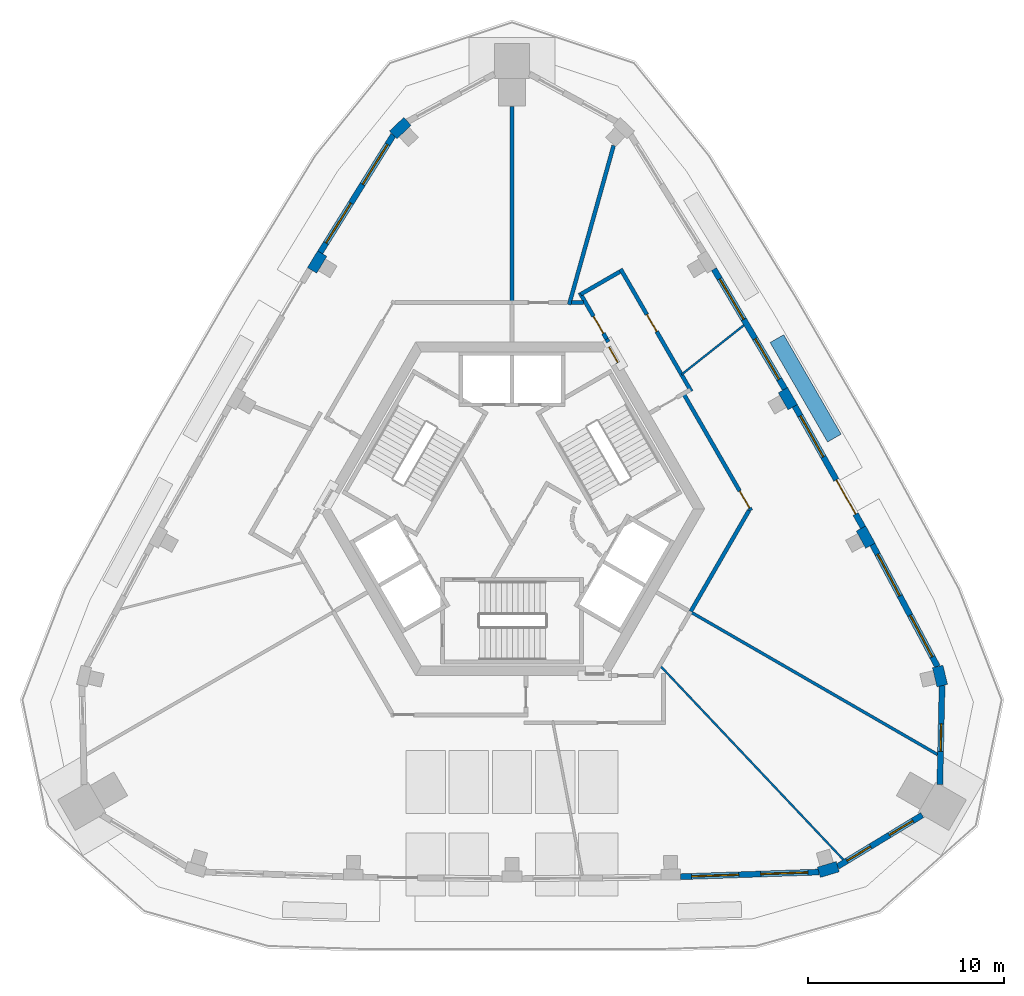
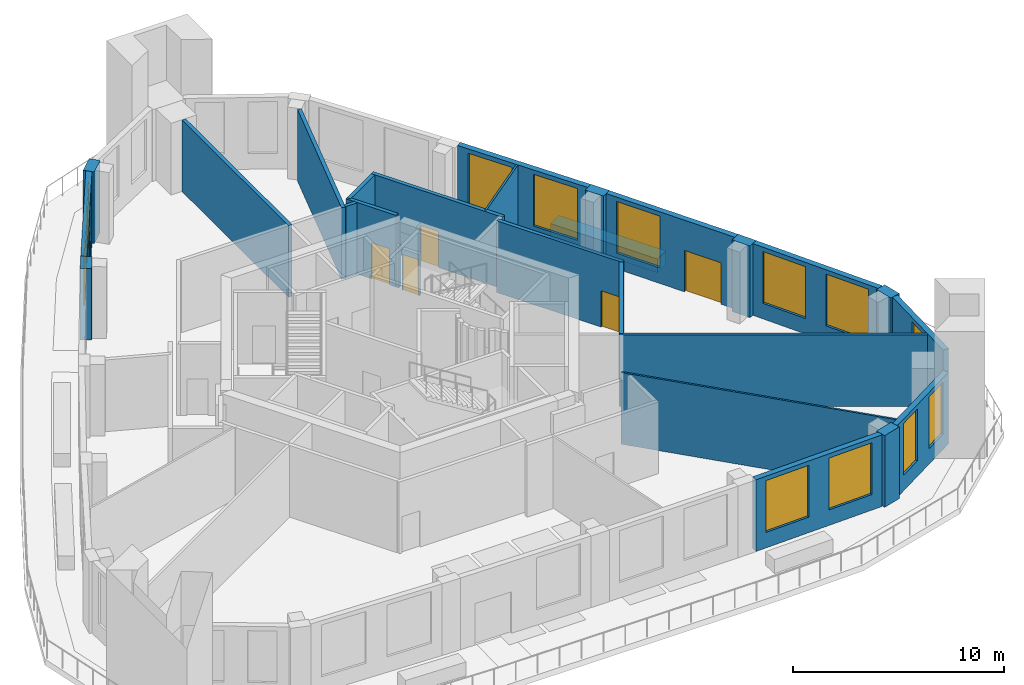
# One storey, part 5 of 9: 27 walls, 12 windows, 5 doors, 17 openings.
"""IFC4 building model written with IfcOpenShell, lengths in metres."""

from ifc_helpers import new_model, si_unit, direction, frame, frame_2d, origin, place, context, subcontext, project, spatial, rectangle, extrude, material, layer, layer_set, type_object, element, fill, save


model = new_model("IFC4")

# Units and contexts
model_context = context("Model", 3, precision=1e-05, world=origin(), true_north=direction((0.0, 1.0)))
body_context = subcontext(model_context, "Body", "Model", "MODEL_VIEW")
ifc_project = project(units=[si_unit("LENGTHUNIT", "METRE"), si_unit("AREAUNIT", "SQUARE_METRE"), si_unit("VOLUMEUNIT", "CUBIC_METRE"), si_unit("PLANEANGLEUNIT", "RADIAN"), si_unit("MASSUNIT", "GRAM", prefix="KILO")], contexts=[model_context])

# Site, building, storey
site_placement = place(None, origin())
site = spatial("IfcSite", under=ifc_project, at=site_placement, CompositionType="ELEMENT")
building_placement = place(site_placement, origin())
building = spatial("IfcBuilding", under=site, at=building_placement, Name="Entoto Arch Interchange Tower", CompositionType="ELEMENT")
storey_placement = place(building_placement, frame((0.0, 0.0, 331.39990234375)))
storey = spatial("IfcBuildingStorey", under=building, at=storey_placement, Name="L78", CompositionType="ELEMENT", Elevation=331.39990234375)

# Wall, opening, door
ifc_material_1 = material(Name="Reinforced concrete C40/50", Category="concrete")
ifc_layer_1 = layer(ifc_material_1, 0.199951171875)
ifc_layer_set_1 = layer_set([ifc_layer_1], Name="Reinforced concrete C40/50")
wall_type_1 = type_object("IfcWallType", Name="CORE GAP INFILL WALL", PredefinedType="PARTITIONING", material=ifc_layer_set_1)
wall_1_placement = place(storey_placement, frame((5.39892578125, 9.947998046875, 0.0), z_axis=(0.0, 0.0, 1.0), x_axis=(-0.499882215713, 0.866093395895, 0.0)))
wall_1 = element("IfcWall", 1, at=wall_1_placement, inside=storey, type_object=wall_type_1, Name="wall:L78:gap2", PredefinedType="PARTITIONING", context=body_context, shape_type="SweptSolid", body=[
    extrude(rectangle(XDim=0.926025390625, YDim=0.199951171875, at=frame_2d((0.462890625, 0.0))), origin(), (0.0, 0.0, 1.0), 2.400146484375),
])
opening_1_placement = place(wall_1_placement, frame((0.01708984375, 0.0, 0.0)))
opening_1 = element("IfcOpeningElement", 2, at=opening_1_placement, cuts=wall_1, Name="Opening L78-D92", PredefinedType="OPENING", context=body_context, shape_type="SweptSolid", body=[
    extrude(rectangle(XDim=0.89990234375, YDim=2.10009765625, at=frame_2d((0.449951171875, 1.050048828125))), frame((0.0, 0.10986328125, 0.0), z_axis=(0.0, -1.0, 0.0), x_axis=(1.0, 0.0, 0.0)), (0.0, 0.0, 1.0), 0.219970703125),
])
ifc_material_2 = material(Name="Fire-rated Steel S235 door and frame", Category="steel")
door_type_1 = type_object("IfcDoorType", Name="DOOR FD-09 900x2100", OperationType="SINGLE_SWING_LEFT", PredefinedType="DOOR", material=ifc_material_2)
door_1_placement = place(opening_1_placement, origin())
door_1 = element("IfcDoor", 3, at=door_1_placement, inside=storey, type_object=door_type_1, Name="door:L78:gap2", OperationType="SINGLE_SWING_LEFT", OverallHeight=2.10009765625, OverallWidth=0.89990234375, PredefinedType="DOOR", context=body_context, shape_type="SweptSolid", body=[
    extrude(rectangle(XDim=0.89990234375, YDim=2.10009765625, at=frame_2d((0.449951171875, 1.050048828125))), frame((0.0, 0.02490234375, 0.0), z_axis=(0.0, -1.0, 0.0), x_axis=(1.0, 0.0, 0.0)), (0.0, 0.0, 1.0), 0.050048828125),
])
fill(opening_1, door_1)

# Walls
ifc_material_3 = material(Name="Gypsum board partition on steel studs", Category="steel")
ifc_layer_2 = layer(ifc_material_3, 0.10009765625)
ifc_layer_set_2 = layer_set([ifc_layer_2], Name="Gypsum board partition on steel studs")
wall_type_2 = type_object("IfcWallType", Name="PARTITION 100", PredefinedType="PARTITIONING", material=ifc_layer_set_2)
wall_2_placement = place(storey_placement, frame((7.52392578125, -5.467041015625, 0.0), z_axis=(0.0, 0.0, 1.0), x_axis=(0.686666158826, -0.726972892427, 0.0)))
element("IfcWall", 4, at=wall_2_placement, inside=storey, type_object=wall_type_2, Name="wall:L78:p024", PredefinedType="PARTITIONING", context=body_context, shape_type="SweptSolid", body=[
    extrude(rectangle(XDim=13.622314453125, YDim=0.10009765625, at=frame_2d((6.81103515625, 0.0))), origin(), (0.0, 0.0, 1.0), 4.150146484375),
])
wall_3_placement = place(storey_placement, frame((11.80810546875, 11.84912109375, 0.0), z_axis=(0.0, 0.0, 1.0), x_axis=(-0.784103353093, -0.620630269701, 0.0)))
element("IfcWall", 5, at=wall_3_placement, inside=storey, type_object=wall_type_2, Name="wall:L78:p036", PredefinedType="PARTITIONING", context=body_context, shape_type="SweptSolid", body=[
    extrude(rectangle(XDim=4.044189453125, YDim=0.10009765625, at=frame_2d((2.02197265625, 0.0))), origin(), (0.0, 0.0, 1.0), 4.150146484375),
])
ifc_layer_3 = layer(ifc_material_3, 0.14990234375)
ifc_layer_set_3 = layer_set([ifc_layer_3], Name="Gypsum board partition on steel studs")
wall_type_3 = type_object("IfcWallType", Name="PARTITION 150", PredefinedType="PARTITIONING", material=ifc_layer_set_3)
wall_4_placement = place(storey_placement, frame((9.006103515625, -2.699951171875, 0.0), z_axis=(0.0, 0.0, 1.0), x_axis=(0.865999449672, -0.500044951147, 0.0)))
element("IfcWall", 6, at=wall_4_placement, inside=storey, type_object=wall_type_3, Name="wall:L78:p026", PredefinedType="PARTITIONING", context=body_context, shape_type="SweptSolid", body=[
    extrude(rectangle(XDim=14.635009765625, YDim=0.14990234375, at=frame_2d((7.3173828125, 0.0))), origin(), (0.0, 0.0, 1.0), 4.150146484375),
])
ifc_layer_4 = layer(ifc_material_3, 0.199951171875)
ifc_layer_set_4 = layer_set([ifc_layer_4], Name="Gypsum board partition on steel studs")
wall_type_4 = type_object("IfcWallType", Name="PARTITION 200", PredefinedType="PARTITIONING", material=ifc_layer_set_4)
wall_5_placement = place(storey_placement, frame((4.906982421875, 11.0, 0.0), z_axis=(0.0, 0.0, 1.0), x_axis=(-0.5004692653, 0.865754303766, 0.0)))
element("IfcWall", 7, at=wall_5_placement, inside=storey, type_object=wall_type_4, Name="wall:L78:p028", PredefinedType="PARTITIONING", context=body_context, shape_type="SweptSolid", body=[
    extrude(rectangle(XDim=0.169677734375, YDim=0.199951171875, at=frame_2d((0.0849609375, 0.0))), origin(), (0.0, 0.0, 1.0), 2.400146484375),
])

# Wall, opening, door
wall_6_placement = place(storey_placement, frame((5.531982421875, 14.717041015625, 0.0), z_axis=(0.0, 0.0, 1.0), x_axis=(0.499968011863, -0.866043871356, 0.0)))
wall_6 = element("IfcWall", 8, at=wall_6_placement, inside=storey, type_object=wall_type_4, Name="wall:L78:p029", PredefinedType="PARTITIONING", context=body_context, shape_type="SweptSolid", body=[
    extrude(rectangle(XDim=7.20068359375, YDim=0.199951171875, at=frame_2d((3.600341796875, 0.0))), origin(), (0.0, 0.0, 1.0), 4.150146484375),
])
opening_2_placement = place(wall_6_placement, frame((2.679931640625, 0.0, 0.0)))
opening_2 = element("IfcOpeningElement", 9, at=opening_2_placement, cuts=wall_6, Name="Opening L78-D08", PredefinedType="OPENING", context=body_context, shape_type="SweptSolid", body=[
    extrude(rectangle(XDim=1.0, YDim=2.10009765625, at=frame_2d((0.5, 1.050048828125))), frame((0.0, 0.10986328125, 0.0), z_axis=(0.0, -1.0, 0.0), x_axis=(1.0, 0.0, 0.0)), (0.0, 0.0, 1.0), 0.219970703125),
])
door_type_2 = type_object("IfcDoorType", Name="DOOR FD-10 1000x2100", OperationType="SINGLE_SWING_LEFT", PredefinedType="DOOR", material=ifc_material_2)
door_2_placement = place(opening_2_placement, origin())
door_2 = element("IfcDoor", 10, at=door_2_placement, inside=storey, type_object=door_type_2, Name="door:L78:08", OperationType="SINGLE_SWING_LEFT", OverallHeight=2.10009765625, OverallWidth=1.0, PredefinedType="DOOR", context=body_context, shape_type="SweptSolid", body=[
    extrude(rectangle(XDim=1.0, YDim=2.10009765625, at=frame_2d((0.5, 1.050048828125))), frame((0.0, 0.02490234375, 0.0), z_axis=(0.0, -1.0, 0.0), x_axis=(1.0, 0.0, 0.0)), (0.0, 0.0, 1.0), 0.050048828125),
])
fill(opening_2, door_2)

# Wall
wall_7_placement = place(storey_placement, frame((3.50390625, 13.429931640625, 0.0), z_axis=(0.0, 0.0, 1.0), x_axis=(0.865927408828, 0.500169693844, 0.0)))
element("IfcWall", 11, at=wall_7_placement, inside=storey, type_object=wall_type_4, Name="wall:L78:p030", PredefinedType="PARTITIONING", context=body_context, shape_type="SweptSolid", body=[
    extrude(rectangle(XDim=2.299560546875, YDim=0.199951171875, at=frame_2d((1.14990234375, 0.0))), origin(), (0.0, 0.0, 1.0), 4.150146484375),
])

# Wall, opening, door
wall_8_placement = place(storey_placement, frame((8.736083984375, 8.367919921875, 0.0), z_axis=(0.0, 0.0, 1.0), x_axis=(0.499995994493, -0.866027716353, 0.0)))
wall_8 = element("IfcWall", 12, at=wall_8_placement, inside=storey, type_object=wall_type_4, Name="wall:L78:p031", PredefinedType="PARTITIONING", context=body_context, shape_type="SweptSolid", body=[
    extrude(rectangle(XDim=6.8759765625, YDim=0.199951171875, at=frame_2d((3.43798828125, 0.0))), origin(), (0.0, 0.0, 1.0), 4.150146484375),
])
opening_3_placement = place(wall_8_placement, frame((5.72607421875, 0.0, 0.0)))
opening_3 = element("IfcOpeningElement", 13, at=opening_3_placement, cuts=wall_8, Name="Opening L78-D09", PredefinedType="OPENING", context=body_context, shape_type="SweptSolid", body=[
    extrude(rectangle(XDim=1.0, YDim=2.10009765625, at=frame_2d((0.5, 1.050048828125))), frame((0.0, 0.10986328125, 0.0), z_axis=(0.0, -1.0, 0.0), x_axis=(1.0, 0.0, 0.0)), (0.0, 0.0, 1.0), 0.219970703125),
])
ifc_material_4 = material(Name="Timber door leaf in Steel S235 frame", Category="steel")
door_type_3 = type_object("IfcDoorType", Name="DOOR DS-10 1000x2100", OperationType="SINGLE_SWING_LEFT", PredefinedType="DOOR", material=ifc_material_4)
door_3_placement = place(opening_3_placement, origin())
door_3 = element("IfcDoor", 14, at=door_3_placement, inside=storey, type_object=door_type_3, Name="door:L78:09", OperationType="SINGLE_SWING_RIGHT", OverallHeight=2.10009765625, OverallWidth=1.0, PredefinedType="DOOR", context=body_context, shape_type="SweptSolid", body=[
    extrude(rectangle(XDim=1.0, YDim=2.10009765625, at=frame_2d((0.5, 1.050048828125))), frame((0.0, 0.02490234375, 0.0), z_axis=(0.0, -1.0, 0.0), x_axis=(1.0, 0.0, 0.0)), (0.0, 0.0, 1.0), 0.050048828125),
])
fill(opening_3, door_3)

# Walls
wall_9_placement = place(storey_placement, frame((12.073974609375, 2.4130859375, 0.0), z_axis=(0.0, 0.0, 1.0), x_axis=(-0.499974029402, -0.866040397397, 0.0)))
element("IfcWall", 15, at=wall_9_placement, inside=storey, type_object=wall_type_4, Name="wall:L78:p032", PredefinedType="PARTITIONING", context=body_context, shape_type="SweptSolid", body=[
    extrude(rectangle(XDim=5.936279296875, YDim=0.199951171875, at=frame_2d((2.96826171875, 0.0))), origin(), (0.0, 0.0, 1.0), 4.150146484375),
])
wall_10_placement = place(storey_placement, frame((3.0380859375, 13.0, 0.0), z_axis=(0.0, 0.0, 1.0), x_axis=(1.0, 0.0, 0.0)))
element("IfcWall", 16, at=wall_10_placement, inside=storey, type_object=wall_type_4, Name="wall:L78:p033", PredefinedType="PARTITIONING", context=body_context, shape_type="SweptSolid", body=[
    extrude(rectangle(XDim=0.614013671875, YDim=0.199951171875, at=frame_2d((0.30712890625, 0.0))), origin(), (0.0, 0.0, 1.0), 4.150146484375),
])
wall_11_placement = place(storey_placement, frame((2.910888671875, 12.904052734375, 0.0), z_axis=(0.0, 0.0, 1.0), x_axis=(0.269466315524, 0.963009815525, 0.0)))
element("IfcWall", 17, at=wall_11_placement, inside=storey, type_object=wall_type_4, Name="wall:L78:p037", PredefinedType="PARTITIONING", context=body_context, shape_type="SweptSolid", body=[
    extrude(rectangle(XDim=8.413330078125, YDim=0.199951171875, at=frame_2d((4.20654296875, 0.0))), origin(), (0.0, 0.0, 1.0), 4.150146484375),
])
wall_12_placement = place(storey_placement, frame((0.0, 12.89990234375, 0.0), z_axis=(0.0, 0.0, 1.0), x_axis=(0.0, 1.0, 0.0)))
element("IfcWall", 18, at=wall_12_placement, inside=storey, type_object=wall_type_4, Name="wall:L78:p038", PredefinedType="PARTITIONING", context=body_context, shape_type="SweptSolid", body=[
    extrude(rectangle(XDim=10.092041015625, YDim=0.199951171875, at=frame_2d((5.0458984375, 0.0))), origin(), (0.0, 0.0, 1.0), 4.150146484375),
])

# Wall, opening, door
wall_13_placement = place(storey_placement, frame((4.822021484375, 11.14697265625, 0.0), z_axis=(0.0, 0.0, 1.0), x_axis=(-0.499871764879, 0.866099427708, 0.0)))
wall_13 = element("IfcWall", 19, at=wall_13_placement, inside=storey, type_object=wall_type_4, Name="wall:L78:p028", PredefinedType="PARTITIONING", context=body_context, shape_type="SweptSolid", body=[
    extrude(rectangle(XDim=2.736572265625, YDim=0.199951171875, at=frame_2d((1.3681640625, 0.0))), origin(), (0.0, 0.0, 1.0), 4.150146484375),
])
opening_4_placement = place(wall_13_placement, frame((0.3349609375, 0.0, 0.0)))
opening_4 = element("IfcOpeningElement", 20, at=opening_4_placement, cuts=wall_13, Name="Opening L78-D07", PredefinedType="OPENING", context=body_context, shape_type="SweptSolid", body=[
    extrude(rectangle(XDim=1.0, YDim=2.10009765625, at=frame_2d((0.5, 1.050048828125))), frame((0.0, 0.10986328125, 0.0), z_axis=(0.0, -1.0, 0.0), x_axis=(1.0, 0.0, 0.0)), (0.0, 0.0, 1.0), 0.219970703125),
])
door_4_placement = place(opening_4_placement, origin())
door_4 = element("IfcDoor", 21, at=door_4_placement, inside=storey, type_object=door_type_2, Name="door:L78:07", OperationType="SINGLE_SWING_RIGHT", OverallHeight=2.10009765625, OverallWidth=1.0, PredefinedType="DOOR", context=body_context, shape_type="SweptSolid", body=[
    extrude(rectangle(XDim=1.0, YDim=2.10009765625, at=frame_2d((0.5, 1.050048828125))), frame((0.0, 0.02490234375, 0.0), z_axis=(0.0, -1.0, 0.0), x_axis=(1.0, 0.0, 0.0)), (0.0, 0.0, 1.0), 0.050048828125),
])
fill(opening_4, door_4)

# Wall
ifc_material_5 = material(Name="Board-marked precast concrete C50/60", Category="concrete")
ifc_layer_5 = layer(ifc_material_5, 0.800048828125)
ifc_layer_set_5 = layer_set([ifc_layer_5], Name="Board-marked precast concrete C50/60")
wall_type_5 = type_object("IfcWallType", Name="PLANTER RC 800 Hagenia abyssinica", PredefinedType="STANDARD", material=ifc_layer_set_5)
wall_14_placement = place(storey_placement, frame((16.4208984375, 6.10205078125, 0.0), z_axis=(0.0, 0.0, 1.0), x_axis=(-0.499980071345, 0.866036909293, 0.0)))
element("IfcWall", 22, at=wall_14_placement, inside=storey, type_object=wall_type_5, Name="Terrace planter NE-02 L78", PredefinedType="STANDARD", context=body_context, shape_type="SweptSolid", body=[
    extrude(rectangle(XDim=5.851806640625, YDim=0.800048828125, at=frame_2d((2.92578125, 0.0))), origin(), (0.0, 0.0, 1.0), 0.800048828125),
])

# Wall, openings, windows
ifc_material_6 = material(Name="Welded tuff (ignimbrite) cladding, warm buff", Category="masonry")
ifc_layer_6 = layer(ifc_material_6, 0.300048828125)
ifc_layer_set_6 = layer_set([ifc_layer_6], Name="Welded tuff (ignimbrite) cladding, warm buff")
wall_type_6 = type_object("IfcWallType", Name="STONE INFILL WALL 300", PredefinedType="STANDARD", material=ifc_layer_set_6)
wall_15_placement = place(storey_placement, frame((8.592041015625, -16.241943359375, 0.0), z_axis=(0.0, 0.0, 1.0), x_axis=(0.999433696929, 0.033649449366, 0.0)))
wall_15 = element("IfcWall", 23, at=wall_15_placement, inside=storey, type_object=wall_type_6, Name="Facade wall S-04 L78", PredefinedType="STANDARD", context=body_context, shape_type="SweptSolid", body=[
    extrude(rectangle(XDim=7.044921875, YDim=0.300048828125, at=frame_2d((3.5224609375, 0.0))), origin(), (0.0, 0.0, 1.0), 4.150146484375),
])
opening_5_placement = place(wall_15_placement, frame((0.56103515625, 0.0, 0.89990234375)))
opening_5 = element("IfcOpeningElement", 24, at=opening_5_placement, cuts=wall_15, Name="Opening WK-A", PredefinedType="OPENING", context=body_context, shape_type="SweptSolid", body=[
    extrude(rectangle(XDim=2.39990234375, YDim=3.0, at=frame_2d((1.199951171875, 1.5))), frame((0.0, 0.16015625, 0.0), z_axis=(0.0, -1.0, 0.0), x_axis=(1.0, 0.0, 0.0)), (0.0, 0.0, 1.0), 0.320068359375),
])
opening_6_placement = place(wall_15_placement, frame((4.083984375, 0.0, 0.89990234375)))
opening_6 = element("IfcOpeningElement", 25, at=opening_6_placement, cuts=wall_15, Name="Opening WK-A", PredefinedType="OPENING", context=body_context, shape_type="SweptSolid", body=[
    extrude(rectangle(XDim=2.39990234375, YDim=3.0, at=frame_2d((1.199951171875, 1.5))), frame((0.0, 0.16015625, 0.0), z_axis=(0.0, -1.0, 0.0), x_axis=(1.0, 0.0, 0.0)), (0.0, 0.0, 1.0), 0.320068359375),
])
ifc_material_7 = material(Name="Clear glass, low-e double glazed", Category="glass")
window_type_1 = type_object("IfcWindowType", Name="WINDOW WK-A 2400x3000", PartitioningType="DOUBLE_PANEL_VERTICAL", PredefinedType="WINDOW", material=ifc_material_7)
window_1_placement = place(opening_5_placement, origin())
window_1 = element("IfcWindow", 26, at=window_1_placement, inside=storey, type_object=window_type_1, Name="Window WK-A S-04 L78", OverallHeight=3.0, OverallWidth=2.39990234375, PartitioningType="SINGLE_PANEL", PredefinedType="WINDOW", context=body_context, shape_type="SweptSolid", body=[
    extrude(rectangle(XDim=2.39990234375, YDim=3.0, at=frame_2d((1.199951171875, 1.5))), frame((0.0, 0.030029296875, 0.0), z_axis=(0.0, -1.0, 0.0), x_axis=(1.0, 0.0, 0.0)), (0.0, 0.0, 1.0), 0.06005859375),
])
fill(opening_5, window_1)
window_2_placement = place(opening_6_placement, origin())
window_2 = element("IfcWindow", 27, at=window_2_placement, inside=storey, type_object=window_type_1, Name="Window WK-A S-04 L78", OverallHeight=3.0, OverallWidth=2.39990234375, PartitioningType="SINGLE_PANEL", PredefinedType="WINDOW", context=body_context, shape_type="SweptSolid", body=[
    extrude(rectangle(XDim=2.39990234375, YDim=3.0, at=frame_2d((1.199951171875, 1.5))), frame((0.0, 0.030029296875, 0.0), z_axis=(0.0, -1.0, 0.0), x_axis=(1.0, 0.0, 0.0)), (0.0, 0.0, 1.0), 0.06005859375),
])
fill(opening_6, window_2)

wall_16_placement = place(storey_placement, frame((16.590087890625, -15.719970703125, 0.0), z_axis=(0.0, 0.0, 1.0), x_axis=(0.854607095238, 0.519275180197, 0.0)))
wall_16 = element("IfcWall", 28, at=wall_16_placement, inside=storey, type_object=wall_type_6, Name="Facade wall SE-01 L78", PredefinedType="STANDARD", context=body_context, shape_type="SweptSolid", body=[
    extrude(rectangle(XDim=5.03955078125, YDim=0.300048828125, at=frame_2d((2.519775390625, 0.0))), origin(), (0.0, 0.0, 1.0), 4.150146484375),
])
opening_7_placement = place(wall_16_placement, frame((0.56005859375, 0.0, 0.89990234375)))
opening_7 = element("IfcOpeningElement", 29, at=opening_7_placement, cuts=wall_16, Name="Opening WK-B", PredefinedType="OPENING", context=body_context, shape_type="SweptSolid", body=[
    extrude(rectangle(XDim=1.39990234375, YDim=3.0, at=frame_2d((0.699951171875, 1.5))), frame((0.0, 0.16015625, 0.0), z_axis=(0.0, -1.0, 0.0), x_axis=(1.0, 0.0, 0.0)), (0.0, 0.0, 1.0), 0.320068359375),
])
opening_8_placement = place(wall_16_placement, frame((3.080078125, 0.0, 0.89990234375)))
opening_8 = element("IfcOpeningElement", 30, at=opening_8_placement, cuts=wall_16, Name="Opening WK-B", PredefinedType="OPENING", context=body_context, shape_type="SweptSolid", body=[
    extrude(rectangle(XDim=1.39990234375, YDim=3.0, at=frame_2d((0.699951171875, 1.5))), frame((0.0, 0.16015625, 0.0), z_axis=(0.0, -1.0, 0.0), x_axis=(1.0, 0.0, 0.0)), (0.0, 0.0, 1.0), 0.320068359375),
])
window_type_2 = type_object("IfcWindowType", Name="WINDOW WK-B 1400x3000", PartitioningType="DOUBLE_PANEL_VERTICAL", PredefinedType="WINDOW", material=ifc_material_7)
window_3_placement = place(opening_7_placement, origin())
window_3 = element("IfcWindow", 31, at=window_3_placement, inside=storey, type_object=window_type_2, Name="Window WK-B SE-01 L78", OverallHeight=3.0, OverallWidth=1.39990234375, PartitioningType="SINGLE_PANEL", PredefinedType="WINDOW", context=body_context, shape_type="SweptSolid", body=[
    extrude(rectangle(XDim=1.39990234375, YDim=3.0, at=frame_2d((0.699951171875, 1.5))), frame((0.0, 0.030029296875, 0.0), z_axis=(0.0, -1.0, 0.0), x_axis=(1.0, 0.0, 0.0)), (0.0, 0.0, 1.0), 0.06005859375),
])
fill(opening_7, window_3)
window_4_placement = place(opening_8_placement, origin())
window_4 = element("IfcWindow", 32, at=window_4_placement, inside=storey, type_object=window_type_2, Name="Window WK-B SE-01 L78", OverallHeight=3.0, OverallWidth=1.39990234375, PartitioningType="SINGLE_PANEL", PredefinedType="WINDOW", context=body_context, shape_type="SweptSolid", body=[
    extrude(rectangle(XDim=1.39990234375, YDim=3.0, at=frame_2d((0.699951171875, 1.5))), frame((0.0, 0.030029296875, 0.0), z_axis=(0.0, -1.0, 0.0), x_axis=(1.0, 0.0, 0.0)), (0.0, 0.0, 1.0), 0.06005859375),
])
fill(opening_8, window_4)

# Wall, opening, window
wall_17_placement = place(storey_placement, frame((21.7958984375, -11.5458984375, 0.0), z_axis=(0.0, 0.0, 1.0), x_axis=(0.022431960078, 0.999748371925, 0.0)))
wall_17 = element("IfcWall", 33, at=wall_17_placement, inside=storey, type_object=wall_type_6, Name="Facade wall SE-02 L78", PredefinedType="STANDARD", context=body_context, shape_type="SweptSolid", body=[
    extrude(rectangle(XDim=5.0390625, YDim=0.300048828125, at=frame_2d((2.51953125, 0.0))), origin(), (0.0, 0.0, 1.0), 4.150146484375),
])
opening_9_placement = place(wall_17_placement, frame((1.694091796875, 0.0, 0.89990234375)))
opening_9 = element("IfcOpeningElement", 34, at=opening_9_placement, cuts=wall_17, Name="Opening WK-B", PredefinedType="OPENING", context=body_context, shape_type="SweptSolid", body=[
    extrude(rectangle(XDim=1.39990234375, YDim=3.0, at=frame_2d((0.699951171875, 1.5))), frame((0.0, 0.16015625, 0.0), z_axis=(0.0, -1.0, 0.0), x_axis=(1.0, 0.0, 0.0)), (0.0, 0.0, 1.0), 0.320068359375),
])
window_5_placement = place(opening_9_placement, origin())
window_5 = element("IfcWindow", 35, at=window_5_placement, inside=storey, type_object=window_type_2, Name="Window WK-B SE-02 L78", OverallHeight=3.0, OverallWidth=1.39990234375, PartitioningType="SINGLE_PANEL", PredefinedType="WINDOW", context=body_context, shape_type="SweptSolid", body=[
    extrude(rectangle(XDim=1.39990234375, YDim=3.0, at=frame_2d((0.699951171875, 1.5))), frame((0.0, 0.030029296875, 0.0), z_axis=(0.0, -1.0, 0.0), x_axis=(1.0, 0.0, 0.0)), (0.0, 0.0, 1.0), 0.06005859375),
])
fill(opening_9, window_5)

# Wall, openings, windows
wall_18_placement = place(storey_placement, frame((21.677001953125, -5.537109375, 0.0), z_axis=(0.0, 0.0, 1.0), x_axis=(-0.470447918342, 0.882427762555, 0.0)))
wall_18 = element("IfcWall", 36, at=wall_18_placement, inside=storey, type_object=wall_type_6, Name="Facade wall NE-01 L78", PredefinedType="STANDARD", context=body_context, shape_type="SweptSolid", body=[
    extrude(rectangle(XDim=7.044189453125, YDim=0.300048828125, at=frame_2d((3.52197265625, 0.0))), origin(), (0.0, 0.0, 1.0), 4.150146484375),
])
opening_10_placement = place(wall_18_placement, frame((0.56103515625, 0.0, 0.89990234375)))
opening_10 = element("IfcOpeningElement", 37, at=opening_10_placement, cuts=wall_18, Name="Opening WK-A", PredefinedType="OPENING", context=body_context, shape_type="SweptSolid", body=[
    extrude(rectangle(XDim=2.39990234375, YDim=3.0, at=frame_2d((1.199951171875, 1.5))), frame((0.0, 0.16015625, 0.0), z_axis=(0.0, -1.0, 0.0), x_axis=(1.0, 0.0, 0.0)), (0.0, 0.0, 1.0), 0.320068359375),
])
opening_11_placement = place(wall_18_placement, frame((4.0830078125, 0.0, 0.89990234375)))
opening_11 = element("IfcOpeningElement", 38, at=opening_11_placement, cuts=wall_18, Name="Opening WK-A", PredefinedType="OPENING", context=body_context, shape_type="SweptSolid", body=[
    extrude(rectangle(XDim=2.39990234375, YDim=3.0, at=frame_2d((1.199951171875, 1.5))), frame((0.0, 0.16015625, 0.0), z_axis=(0.0, -1.0, 0.0), x_axis=(1.0, 0.0, 0.0)), (0.0, 0.0, 1.0), 0.320068359375),
])
window_6_placement = place(opening_10_placement, origin())
window_6 = element("IfcWindow", 39, at=window_6_placement, inside=storey, type_object=window_type_1, Name="Window WK-A NE-01 L78", OverallHeight=3.0, OverallWidth=2.39990234375, PartitioningType="SINGLE_PANEL", PredefinedType="WINDOW", context=body_context, shape_type="SweptSolid", body=[
    extrude(rectangle(XDim=2.39990234375, YDim=3.0, at=frame_2d((1.199951171875, 1.5))), frame((0.0, 0.030029296875, 0.0), z_axis=(0.0, -1.0, 0.0), x_axis=(1.0, 0.0, 0.0)), (0.0, 0.0, 1.0), 0.06005859375),
])
fill(opening_10, window_6)
window_7_placement = place(opening_11_placement, origin())
window_7 = element("IfcWindow", 40, at=window_7_placement, inside=storey, type_object=window_type_1, Name="Window WK-A NE-01 L78", OverallHeight=3.0, OverallWidth=2.39990234375, PartitioningType="SINGLE_PANEL", PredefinedType="WINDOW", context=body_context, shape_type="SweptSolid", body=[
    extrude(rectangle(XDim=2.39990234375, YDim=3.0, at=frame_2d((1.199951171875, 1.5))), frame((0.0, 0.030029296875, 0.0), z_axis=(0.0, -1.0, 0.0), x_axis=(1.0, 0.0, 0.0)), (0.0, 0.0, 1.0), 0.06005859375),
])
fill(opening_11, window_7)

# Wall, openings, door, window
wall_19_placement = place(storey_placement, frame((17.884033203125, 1.553955078125, 0.0), z_axis=(0.0, 0.0, 1.0), x_axis=(-0.49029716741, 0.871555326775, 0.0)))
wall_19 = element("IfcWall", 41, at=wall_19_placement, inside=storey, type_object=wall_type_6, Name="Facade wall NE-02 L78", PredefinedType="STANDARD", context=body_context, shape_type="SweptSolid", body=[
    extrude(rectangle(XDim=7.09765625, YDim=0.300048828125, at=frame_2d((3.548828125, 0.0))), origin(), (0.0, 0.0, 1.0), 4.150146484375),
])
opening_12_placement = place(wall_19_placement, frame((0.77392578125, 0.0, 0.0)))
opening_12 = element("IfcOpeningElement", 42, at=opening_12_placement, cuts=wall_19, Name="Opening DT-NE-02-L78", PredefinedType="OPENING", context=body_context, shape_type="SweptSolid", body=[
    extrude(rectangle(XDim=2.0, YDim=2.39990234375, at=frame_2d((1.0, 1.199951171875))), frame((0.0, 0.16015625, 0.0), z_axis=(0.0, -1.0, 0.0), x_axis=(1.0, 0.0, 0.0)), (0.0, 0.0, 1.0), 0.320068359375),
])
opening_13_placement = place(wall_19_placement, frame((4.123046875, 0.0, 0.89990234375)))
opening_13 = element("IfcOpeningElement", 43, at=opening_13_placement, cuts=wall_19, Name="Opening WK-A", PredefinedType="OPENING", context=body_context, shape_type="SweptSolid", body=[
    extrude(rectangle(XDim=2.39990234375, YDim=3.0, at=frame_2d((1.199951171875, 1.5))), frame((0.0, 0.16015625, 0.0), z_axis=(0.0, -1.0, 0.0), x_axis=(1.0, 0.0, 0.0)), (0.0, 0.0, 1.0), 0.320068359375),
])
ifc_material_8 = material(Name="Aluminium and clear glass, anodised", Category="aluminium")
door_type_4 = type_object("IfcDoorType", Name="TERRACE DOOR DT 2000x2400", OperationType="SLIDING_TO_LEFT", PredefinedType="DOOR", material=ifc_material_8)
door_5_placement = place(opening_12_placement, origin())
door_5 = element("IfcDoor", 44, at=door_5_placement, inside=storey, type_object=door_type_4, Name="Terrace door NE-02 L78", OperationType="SLIDING_TO_LEFT", OverallHeight=2.39990234375, OverallWidth=2.0, PredefinedType="DOOR", context=body_context, shape_type="SweptSolid", body=[
    extrude(rectangle(XDim=2.0, YDim=2.39990234375, at=frame_2d((1.0, 1.199951171875))), frame((0.0, 0.02490234375, 0.0), z_axis=(0.0, -1.0, 0.0), x_axis=(1.0, 0.0, 0.0)), (0.0, 0.0, 1.0), 0.050048828125),
])
fill(opening_12, door_5)
window_8_placement = place(opening_13_placement, origin())
window_8 = element("IfcWindow", 45, at=window_8_placement, inside=storey, type_object=window_type_1, Name="Window WK-A NE-02 L78", OverallHeight=3.0, OverallWidth=2.39990234375, PartitioningType="SINGLE_PANEL", PredefinedType="WINDOW", context=body_context, shape_type="SweptSolid", body=[
    extrude(rectangle(XDim=2.39990234375, YDim=3.0, at=frame_2d((1.199951171875, 1.5))), frame((0.0, 0.030029296875, 0.0), z_axis=(0.0, -1.0, 0.0), x_axis=(1.0, 0.0, 0.0)), (0.0, 0.0, 1.0), 0.06005859375),
])
fill(opening_13, window_8)

# Wall, openings, windows
wall_20_placement = place(storey_placement, frame((13.905029296875, 8.60400390625, 0.0), z_axis=(0.0, 0.0, 1.0), x_axis=(-0.509697735304, 0.86035354281, 0.0)))
wall_20 = element("IfcWall", 46, at=wall_20_placement, inside=storey, type_object=wall_type_6, Name="Facade wall NE-03 L78", PredefinedType="STANDARD", context=body_context, shape_type="SweptSolid", body=[
    extrude(rectangle(XDim=7.09814453125, YDim=0.300048828125, at=frame_2d((3.549072265625, 0.0))), origin(), (0.0, 0.0, 1.0), 4.150146484375),
])
opening_14_placement = place(wall_20_placement, frame((0.574951171875, 0.0, 0.89990234375)))
opening_14 = element("IfcOpeningElement", 47, at=opening_14_placement, cuts=wall_20, Name="Opening WK-A", PredefinedType="OPENING", context=body_context, shape_type="SweptSolid", body=[
    extrude(rectangle(XDim=2.39990234375, YDim=3.0, at=frame_2d((1.199951171875, 1.5))), frame((0.0, 0.16015625, 0.0), z_axis=(0.0, -1.0, 0.0), x_axis=(1.0, 0.0, 0.0)), (0.0, 0.0, 1.0), 0.320068359375),
])
opening_15_placement = place(wall_20_placement, frame((4.1240234375, 0.0, 0.89990234375)))
opening_15 = element("IfcOpeningElement", 48, at=opening_15_placement, cuts=wall_20, Name="Opening WK-A", PredefinedType="OPENING", context=body_context, shape_type="SweptSolid", body=[
    extrude(rectangle(XDim=2.39990234375, YDim=3.0, at=frame_2d((1.199951171875, 1.5))), frame((0.0, 0.16015625, 0.0), z_axis=(0.0, -1.0, 0.0), x_axis=(1.0, 0.0, 0.0)), (0.0, 0.0, 1.0), 0.320068359375),
])
window_9_placement = place(opening_14_placement, origin())
window_9 = element("IfcWindow", 49, at=window_9_placement, inside=storey, type_object=window_type_1, Name="Window WK-A NE-03 L78", OverallHeight=3.0, OverallWidth=2.39990234375, PartitioningType="SINGLE_PANEL", PredefinedType="WINDOW", context=body_context, shape_type="SweptSolid", body=[
    extrude(rectangle(XDim=2.39990234375, YDim=3.0, at=frame_2d((1.199951171875, 1.5))), frame((0.0, 0.030029296875, 0.0), z_axis=(0.0, -1.0, 0.0), x_axis=(1.0, 0.0, 0.0)), (0.0, 0.0, 1.0), 0.06005859375),
])
fill(opening_14, window_9)
window_10_placement = place(opening_15_placement, origin())
window_10 = element("IfcWindow", 50, at=window_10_placement, inside=storey, type_object=window_type_1, Name="Window WK-A NE-03 L78", OverallHeight=3.0, OverallWidth=2.39990234375, PartitioningType="SINGLE_PANEL", PredefinedType="WINDOW", context=body_context, shape_type="SweptSolid", body=[
    extrude(rectangle(XDim=2.39990234375, YDim=3.0, at=frame_2d((1.199951171875, 1.5))), frame((0.0, 0.030029296875, 0.0), z_axis=(0.0, -1.0, 0.0), x_axis=(1.0, 0.0, 0.0)), (0.0, 0.0, 1.0), 0.06005859375),
])
fill(opening_15, window_10)

wall_21_placement = place(storey_placement, frame((-6.0439453125, 21.541015625, 0.0), z_axis=(0.0, 0.0, 1.0), x_axis=(-0.528920387505, -0.848671446251, 0.0)))
wall_21 = element("IfcWall", 51, at=wall_21_placement, inside=storey, type_object=wall_type_6, Name="Facade wall NW-01 L78", PredefinedType="STANDARD", context=body_context, shape_type="SweptSolid", body=[
    extrude(rectangle(XDim=7.042724609375, YDim=0.300048828125, at=frame_2d((3.521484375, 0.0))), origin(), (0.0, 0.0, 1.0), 4.150146484375),
])
opening_16_placement = place(wall_21_placement, frame((0.56103515625, 0.0, 0.89990234375)))
opening_16 = element("IfcOpeningElement", 52, at=opening_16_placement, cuts=wall_21, Name="Opening WK-A", PredefinedType="OPENING", context=body_context, shape_type="SweptSolid", body=[
    extrude(rectangle(XDim=2.39990234375, YDim=3.0, at=frame_2d((1.199951171875, 1.5))), frame((0.0, 0.16015625, 0.0), z_axis=(0.0, -1.0, 0.0), x_axis=(1.0, 0.0, 0.0)), (0.0, 0.0, 1.0), 0.320068359375),
])
opening_17_placement = place(wall_21_placement, frame((4.08203125, 0.0, 0.89990234375)))
opening_17 = element("IfcOpeningElement", 53, at=opening_17_placement, cuts=wall_21, Name="Opening WK-A", PredefinedType="OPENING", context=body_context, shape_type="SweptSolid", body=[
    extrude(rectangle(XDim=2.39990234375, YDim=3.0, at=frame_2d((1.199951171875, 1.5))), frame((0.0, 0.16015625, 0.0), z_axis=(0.0, -1.0, 0.0), x_axis=(1.0, 0.0, 0.0)), (0.0, 0.0, 1.0), 0.320068359375),
])
window_11_placement = place(opening_16_placement, origin())
window_11 = element("IfcWindow", 54, at=window_11_placement, inside=storey, type_object=window_type_1, Name="Window WK-A NW-01 L78", OverallHeight=3.0, OverallWidth=2.39990234375, PartitioningType="SINGLE_PANEL", PredefinedType="WINDOW", context=body_context, shape_type="SweptSolid", body=[
    extrude(rectangle(XDim=2.39990234375, YDim=3.0, at=frame_2d((1.199951171875, 1.5))), frame((0.0, 0.030029296875, 0.0), z_axis=(0.0, -1.0, 0.0), x_axis=(1.0, 0.0, 0.0)), (0.0, 0.0, 1.0), 0.06005859375),
])
fill(opening_16, window_11)
window_12_placement = place(opening_17_placement, origin())
window_12 = element("IfcWindow", 55, at=window_12_placement, inside=storey, type_object=window_type_1, Name="Window WK-A NW-01 L78", OverallHeight=3.0, OverallWidth=2.39990234375, PartitioningType="SINGLE_PANEL", PredefinedType="WINDOW", context=body_context, shape_type="SweptSolid", body=[
    extrude(rectangle(XDim=2.39990234375, YDim=3.0, at=frame_2d((1.199951171875, 1.5))), frame((0.0, 0.030029296875, 0.0), z_axis=(0.0, -1.0, 0.0), x_axis=(1.0, 0.0, 0.0)), (0.0, 0.0, 1.0), 0.06005859375),
])
fill(opening_17, window_12)

# Walls
ifc_layer_7 = layer(ifc_material_6, 0.550048828125)
ifc_layer_set_7 = layer_set([ifc_layer_7], Name="Welded tuff (ignimbrite) cladding, warm buff")
wall_type_7 = type_object("IfcWallType", Name="STONE PIER CLADDING 550", PredefinedType="STANDARD", material=ifc_layer_set_7)
wall_22_placement = place(storey_placement, frame((21.9189453125, -6.506103515625, 0.0), z_axis=(0.0, 0.0, 1.0), x_axis=(-0.230916459446, 0.972973580709, 0.0)))
element("IfcWall", 56, at=wall_22_placement, inside=storey, type_object=wall_type_7, Name="Stone pier NE01 L78", PredefinedType="STANDARD", context=body_context, shape_type="SweptSolid", body=[
    extrude(rectangle(XDim=1.000244140625, YDim=0.550048828125, at=frame_2d((0.5, 0.0))), origin(), (0.0, 0.0, 1.0), 4.150146484375),
])
wall_23_placement = place(storey_placement, frame((18.259033203125, 0.6201171875, 0.0), z_axis=(0.0, 0.0, 1.0), x_axis=(-0.480117793957, 0.877204026396, 0.0)))
element("IfcWall", 57, at=wall_23_placement, inside=storey, type_object=wall_type_7, Name="Stone pier NE02 L78", PredefinedType="STANDARD", context=body_context, shape_type="SweptSolid", body=[
    extrude(rectangle(XDim=0.999755859375, YDim=0.550048828125, at=frame_2d((0.5, 0.0))), origin(), (0.0, 0.0, 1.0), 4.150146484375),
])
wall_24_placement = place(storey_placement, frame((14.301025390625, 7.678955078125, 0.0), z_axis=(0.0, 0.0, 1.0), x_axis=(-0.49960277677, 0.866254619292, 0.0)))
element("IfcWall", 58, at=wall_24_placement, inside=storey, type_object=wall_type_7, Name="Stone pier NE03 L78", PredefinedType="STANDARD", context=body_context, shape_type="SweptSolid", body=[
    extrude(rectangle(XDim=1.000732421875, YDim=0.550048828125, at=frame_2d((0.50048828125, 0.0))), origin(), (0.0, 0.0, 1.0), 4.150146484375),
])
wall_25_placement = place(storey_placement, frame((-5.325927734375, 22.236083984375, 0.0), z_axis=(0.0, 0.0, 1.0), x_axis=(-0.726376136967, -0.687297393888, 0.0)))
element("IfcWall", 59, at=wall_25_placement, inside=storey, type_object=wall_type_7, Name="Stone pier NW01 L78", PredefinedType="STANDARD", context=body_context, shape_type="SweptSolid", body=[
    extrude(rectangle(XDim=0.99951171875, YDim=0.550048828125, at=frame_2d((0.499755859375, 0.0))), origin(), (0.0, 0.0, 1.0), 4.150146484375),
])
wall_26_placement = place(storey_placement, frame((-9.666015625, 15.501953125, 0.0), z_axis=(0.0, 0.0, 1.0), x_axis=(-0.520086370604, -0.854113673414, 0.0)))
element("IfcWall", 60, at=wall_26_placement, inside=storey, type_object=wall_type_7, Name="Stone pier NW02 L78", PredefinedType="STANDARD", context=body_context, shape_type="SweptSolid", body=[
    extrude(rectangle(XDim=0.999755859375, YDim=0.550048828125, at=frame_2d((0.5, 0.0))), origin(), (0.0, 0.0, 1.0), 4.150146484375),
])
wall_27_placement = place(storey_placement, frame((15.635009765625, -16.014892578125, 0.0), z_axis=(0.0, 0.0, 1.0), x_axis=(0.958588587629, 0.284794521834, 0.0)))
element("IfcWall", 61, at=wall_27_placement, inside=storey, type_object=wall_type_7, Name="Stone pier S05 L78", PredefinedType="STANDARD", context=body_context, shape_type="SweptSolid", body=[
    extrude(rectangle(XDim=1.00048828125, YDim=0.550048828125, at=frame_2d((0.500244140625, 0.0))), origin(), (0.0, 0.0, 1.0), 4.150146484375),
])

save(model, "model.ifc")
